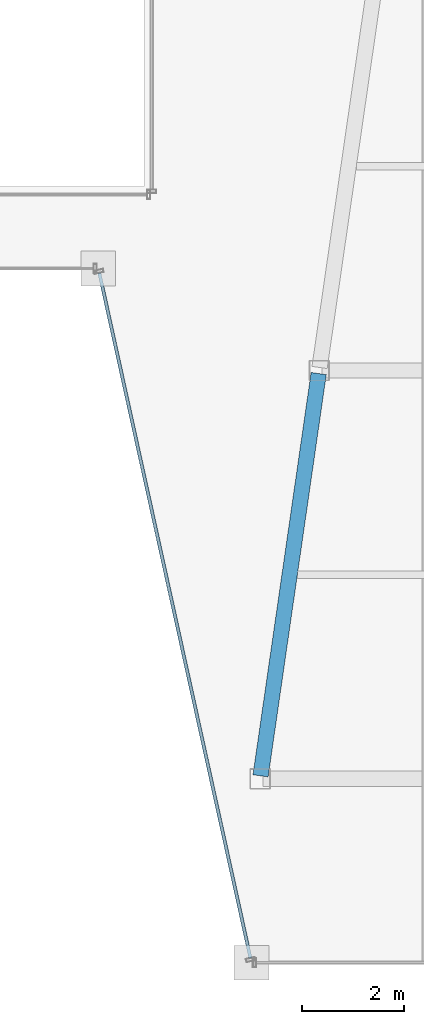
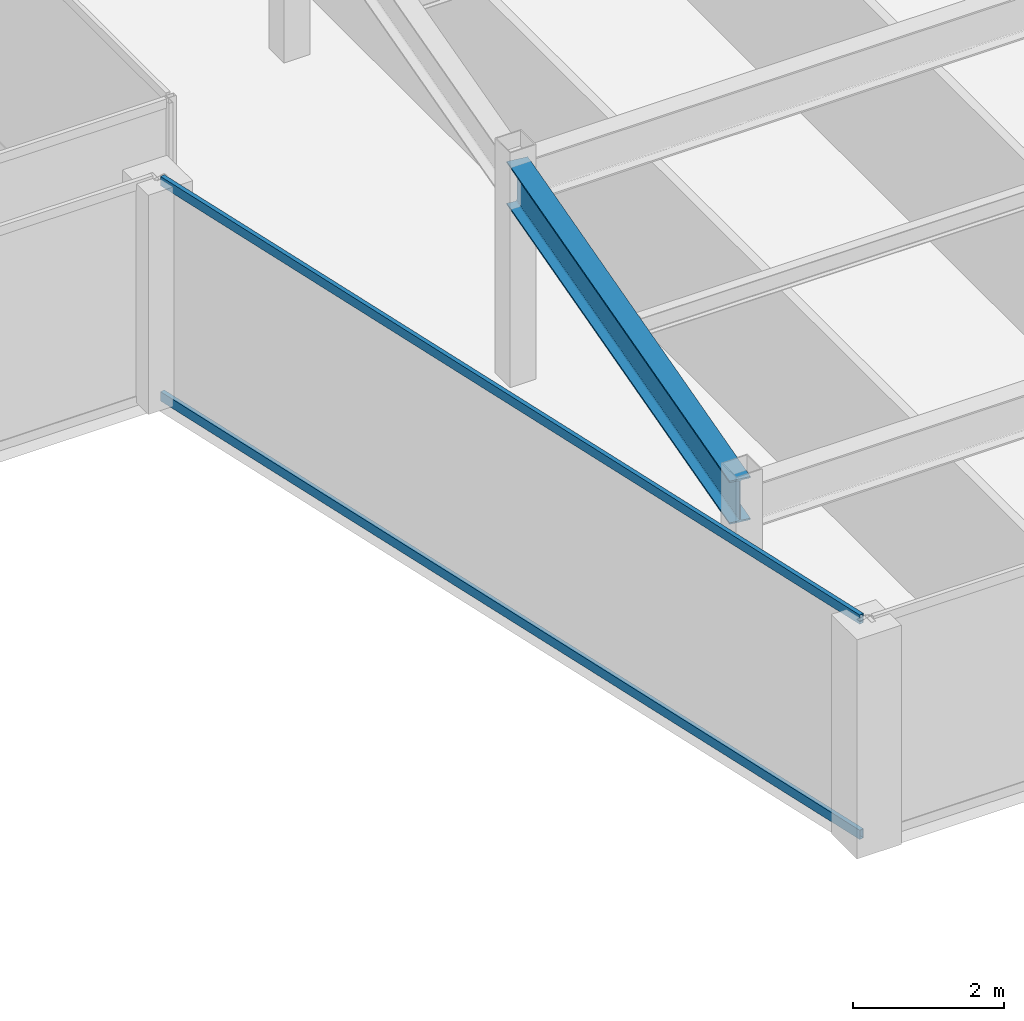
# One storey, part 17 of 36: 2 members, 1 beam, 1 element without a shape of its own.
"""IFC4 building model written with IfcOpenShell, lengths in metres."""

from ifc_helpers import new_model, si_unit, direction, frame, origin, origin_2d, place, context, subcontext, project, spatial, hollow_rectangle, i_section, extrude, material, material_profile, profile_set, type_object, element, aggregate, save


model = new_model("IFC4")

# Units and contexts
model_context = context("Model", 3, precision=1e-05, world=origin(), true_north=direction((0.0, 1.0)))
body_context = subcontext(model_context, "Body", "Model", "MODEL_VIEW")
ifc_project = project(units=[si_unit("LENGTHUNIT", "METRE"), si_unit("AREAUNIT", "SQUARE_METRE"), si_unit("VOLUMEUNIT", "CUBIC_METRE"), si_unit("PLANEANGLEUNIT", "RADIAN"), si_unit("MASSUNIT", "GRAM", prefix="KILO")], contexts=[model_context])

# Site, building, storey
site_placement = place(None, origin())
site = spatial("IfcSite", under=ifc_project, at=site_placement, CompositionType="ELEMENT")
building_placement = place(site_placement, origin())
building = spatial("IfcBuilding", under=site, at=building_placement, Name="Saevonmaru Cultural Tower", CompositionType="ELEMENT")
storey_placement = place(building_placement, frame((0.0, 0.0, 209.39990234375)))
storey = spatial("IfcBuildingStorey", under=building, at=storey_placement, Name="L48", CompositionType="ELEMENT", Elevation=209.39990234375)

# Beam
ifc_material_1 = material(Name="Steel SM355", Category="steel")
ifc_material_profile_1 = material_profile(ifc_material_1, i_section(OverallWidth=0.300048828125, OverallDepth=0.699951171875, WebThickness=0.012939453125, FlangeThickness=0.02392578125, FilletRadius=0.02587890625, at=origin_2d()), Name="H-700x300x13x24")
ifc_profile_set_1 = profile_set([ifc_material_profile_1], Name="Steel SM355")
beam_type = type_object("IfcBeamType", Name="BM-G-H700", PredefinedType="BEAM", material=ifc_profile_set_1)
beam_placement = place(storey_placement, frame((38.08056640625, 16.059326171875, 3.2001953125), z_axis=(0.143022161059, 0.989719486241, 0.0), x_axis=(-0.989719486241, 0.143022161059, 0.0)))
element("IfcBeam", 1, at=beam_placement, inside=storey, type_object=beam_type, Name="L48 East Atrium Girder 1", PredefinedType="BEAM", context=body_context, shape_type="SweptSolid", body=[
    extrude(i_section(OverallWidth=0.300048828125, OverallDepth=0.699951171875, WebThickness=0.012939453125, FlangeThickness=0.02392578125, FilletRadius=0.02587890625, at=origin_2d()), origin(), (0.0, 0.0, 1.0), 7.963134765625),
])

# Curtain wall, members
ifc_material_2 = material(Name="Satin Bronze Anodised Aluminium", Category="aluminium")
curtain_wall_type = type_object("IfcCurtainWallType", Name="CW-TYP-B", PredefinedType="NOTDEFINED", material=ifc_material_2)
curtain_wall_placement = place(storey_placement, origin())
curtain_wall = element("IfcCurtainWall", 2, at=curtain_wall_placement, inside=storey, type_object=curtain_wall_type, Name="L48 Unitised Curtain Wall E5", PredefinedType="NOTDEFINED")
ifc_material_profile_2 = material_profile(ifc_material_2, hollow_rectangle(XDim=0.06494140625, YDim=0.14990234375, WallThickness=0.00390625, at=origin_2d()), Name="ALU-TRAN-150x65x4")
ifc_profile_set_2 = profile_set([ifc_material_profile_2], Name="Satin Bronze Anodised Aluminium")
member_type = type_object("IfcMemberType", Name="TR-CW-150x65", PredefinedType="USERDEFINED", material=ifc_profile_set_2)
member_1_placement = place(storey_placement, frame((34.922119140625, 25.90966796875, 0.03271484375), z_axis=(0.21541214732, -0.976523223885, 0.0), x_axis=(0.976523223885, 0.21541214732, 0.0)))
member_1 = element("IfcMember", 3, at=member_1_placement, type_object=member_type, Name="CW-TW-L48-E5 transom 1.1", ObjectType="TRANSOM", PredefinedType="USERDEFINED", context=body_context, shape_type="SweptSolid", body=[
    extrude(hollow_rectangle(XDim=0.06494140625, YDim=0.14990234375, WallThickness=0.00390625, at=origin_2d()), origin(), (0.0, 0.0, 1.0), 13.741943359375),
])
member_2_placement = place(storey_placement, frame((34.922119140625, 25.90966796875, 3.517578125), z_axis=(0.21541214732, -0.976523223885, 0.0), x_axis=(0.976523223885, 0.21541214732, 0.0)))
member_2 = element("IfcMember", 4, at=member_2_placement, type_object=member_type, Name="CW-TW-L48-E5 transom 1.2", ObjectType="TRANSOM", PredefinedType="USERDEFINED", context=body_context, shape_type="SweptSolid", body=[
    extrude(hollow_rectangle(XDim=0.06494140625, YDim=0.14990234375, WallThickness=0.00390625, at=origin_2d()), origin(), (0.0, 0.0, 1.0), 13.741943359375),
])
aggregate(curtain_wall, [member_1, member_2])

save(model, "model.ifc")
